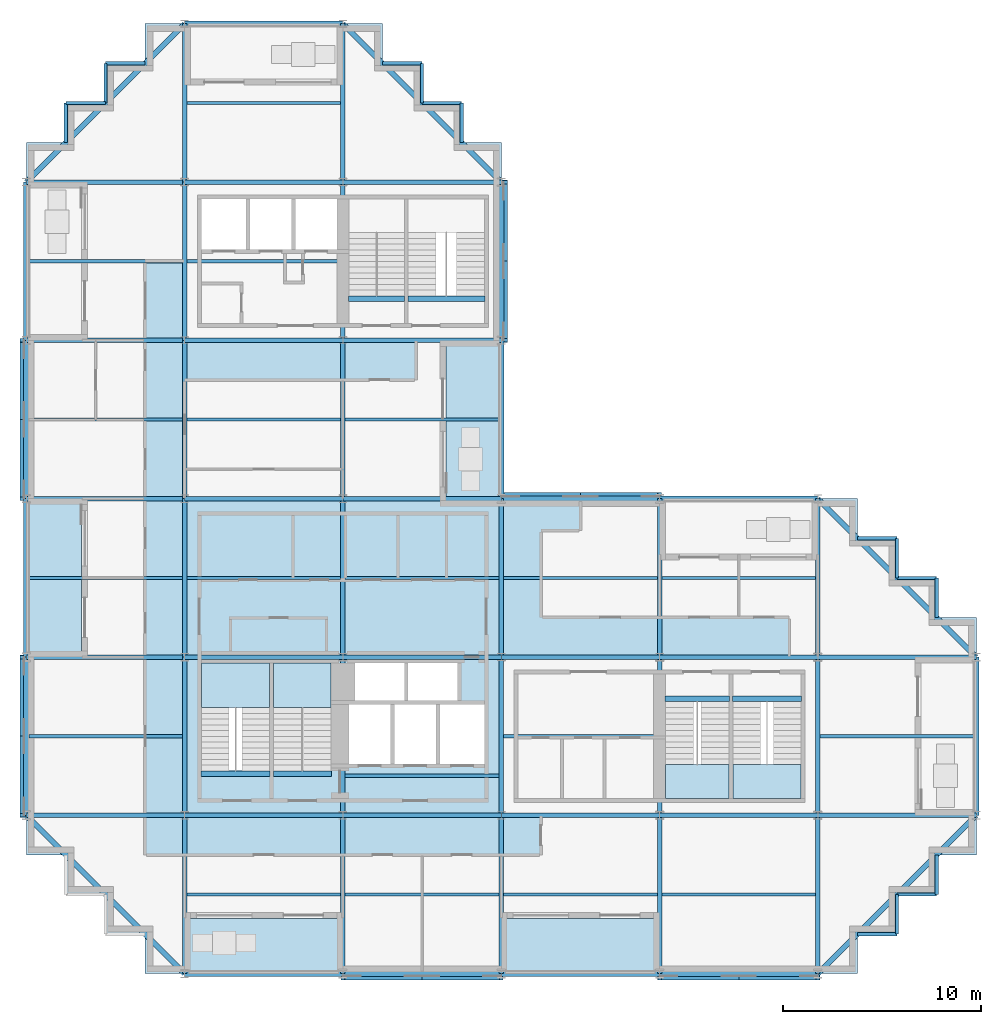
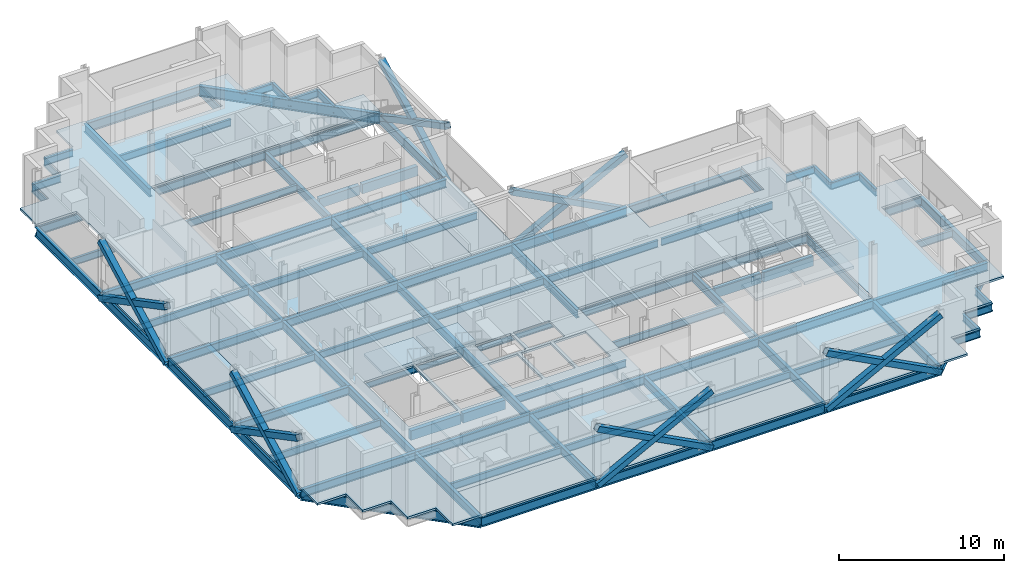
# One storey, part 3 of 12: 102 beams, 12 members, 10 slabs, 4 elements without a shape of their own.
"""IFC4 building model written with IfcOpenShell, lengths in metres."""

from ifc_helpers import new_model, si_unit, direction, frame, origin, origin_2d, place, context, subcontext, project, spatial, polyline, rectangle, hollow_rectangle, i_section, outline, extrude, material, layer, layer_set, material_profile, profile_set, type_object, element, aggregate, save


model = new_model("IFC4")

# Units and contexts
model_context = context("Model", 3, precision=1e-05, world=origin(), true_north=direction((0.0, 1.0)))
body_context = subcontext(model_context, "Body", "Model", "MODEL_VIEW")
ifc_project = project(units=[si_unit("LENGTHUNIT", "METRE"), si_unit("AREAUNIT", "SQUARE_METRE"), si_unit("VOLUMEUNIT", "CUBIC_METRE"), si_unit("PLANEANGLEUNIT", "RADIAN"), si_unit("MASSUNIT", "GRAM", prefix="KILO")], contexts=[model_context])

# Site, building, storey
site_placement = place(None, origin())
site = spatial("IfcSite", under=ifc_project, at=site_placement, CompositionType="ELEMENT")
building_placement = place(site_placement, origin())
building = spatial("IfcBuilding", under=site, at=building_placement, Name="Immortelle Media Tower", CompositionType="ELEMENT")
storey_placement = place(building_placement, frame((0.0, 0.0, 145.199951171875)))
storey = spatial("IfcBuildingStorey", under=building, at=storey_placement, Name="L29", CompositionType="ELEMENT", Elevation=145.199951171875)

# Members
ifc_material_1 = material(Name="Steel ASTM A500 Gr C", Category="steel")
ifc_material_profile_1 = material_profile(ifc_material_1, hollow_rectangle(XDim=0.406005859375, YDim=0.406005859375, WallThickness=0.011962890625, at=origin_2d()), Name="HSS16x16x1/2 brace")
ifc_profile_set_1 = profile_set([ifc_material_profile_1], Name="Steel ASTM A500 Gr C")
member_type = type_object("IfcMemberType", Name="HSS16x16x1/2 brace", PredefinedType="BRACE", material=ifc_profile_set_1)
for number, where, z_axis, x_axis, name in (
    (1, (16.0, -0.113037109375, -0.496337890625), (0.885400126936, 0.0, 0.464829662588), (0.0, 1.0, 0.0), "Brace A/3-4 A"),
    (2, (16.0, -0.113037109375, 3.70361328125), (0.885400126936, 0.0, -0.464829662588), (0.0, 1.0, 0.0), "Brace A/3-4 B"),
    (3, (32.0, -0.113037109375, -0.496337890625), (0.885400126936, 0.0, 0.464829662588), (0.0, 1.0, 0.0), "Brace A/5-6 A"),
    (4, (32.0, -0.113037109375, 3.70361328125), (0.885400126936, 0.0, -0.464829662588), (0.0, 1.0, 0.0), "Brace A/5-6 B"),
    (5, (32.0, 24.113037109375, -0.496337890625), (-0.885400126936, 0.0, 0.464829662588), (0.0, -1.0, 0.0), "Brace D/4-5 A"),
    (6, (32.0, 24.113037109375, 3.70361328125), (-0.885400126936, 0.0, -0.464829662588), (0.0, -1.0, 0.0), "Brace D/4-5 B"),
    (7, (24.113037109375, 32.0, -0.496337890625), (0.0, 0.885400126936, 0.464829662588), (-1.0, 0.0, 0.0), "Brace 4/E-F A"),
    (8, (24.113037109375, 32.0, 3.70361328125), (0.0, 0.885400126936, -0.464829662588), (-1.0, 0.0, 0.0), "Brace 4/E-F B"),
    (9, (-0.113037109375, 32.0, -0.496337890625), (0.0, -0.885400126936, 0.464829662588), (1.0, 0.0, 0.0), "Brace 1/D-E A"),
    (10, (-0.113037109375, 32.0, 3.70361328125), (0.0, -0.885400126936, -0.464829662588), (1.0, 0.0, 0.0), "Brace 1/D-E B"),
    (11, (-0.113037109375, 16.0, -0.496337890625), (0.0, -0.885400126936, 0.464829662588), (1.0, 0.0, 0.0), "Brace 1/B-C A"),
    (12, (-0.113037109375, 16.0, 3.70361328125), (0.0, -0.885400126936, -0.464829662588), (1.0, 0.0, 0.0), "Brace 1/B-C B"),
):
    element("IfcMember", number, at=place(storey_placement, frame(where, z_axis=z_axis, x_axis=x_axis)), inside=storey, type_object=member_type, Name=name, PredefinedType="BRACE", context=body_context, shape_type="SweptSolid", body=[
        extrude(hollow_rectangle(XDim=0.406005859375, YDim=0.406005859375, WallThickness=0.011962890625, at=origin_2d()), origin(), (0.0, 0.0, 1.0), 9.035400390625),
    ])

# Beams
ifc_material_2 = material(Name="Concrete C50/60", Category="concrete")
ifc_material_profile_2 = material_profile(ifc_material_2, rectangle(XDim=0.300048828125, YDim=0.699951171875, at=origin_2d()), Name="RC 300x700")
ifc_profile_set_2 = profile_set([ifc_material_profile_2], Name="Concrete C50/60")
beam_type_1 = type_object("IfcBeamType", Name="Stair trimmer beam 300 x 700", PredefinedType="BEAM", material=ifc_profile_set_2)
beam_1_placement = place(storey_placement, frame((8.830078125, 10.10498046875, -0.5), z_axis=(1.0, 0.0, 0.0), x_axis=(0.0, 1.0, 0.0)))
element("IfcBeam", 13, at=beam_1_placement, inside=storey, type_object=beam_type_1, Name="Stair trimmer beam SW1", PredefinedType="BEAM", context=body_context, shape_type="SweptSolid", body=[
    extrude(rectangle(XDim=0.300048828125, YDim=0.699951171875, at=origin_2d()), origin(), (0.0, 0.0, 1.0), 3.489990234375),
])
beam_2_placement = place(storey_placement, frame((12.47998046875, 10.10498046875, -0.5), z_axis=(1.0, 0.0, 0.0), x_axis=(0.0, 1.0, 0.0)))
element("IfcBeam", 14, at=beam_2_placement, inside=storey, type_object=beam_type_1, Name="Stair trimmer beam SW2", PredefinedType="BEAM", context=body_context, shape_type="SweptSolid", body=[
    extrude(rectangle(XDim=0.300048828125, YDim=0.699951171875, at=origin_2d()), origin(), (0.0, 0.0, 1.0), 2.93994140625),
])
beam_3_placement = place(storey_placement, frame((32.280029296875, 13.89501953125, -0.5), z_axis=(1.0, 0.0, 0.0), x_axis=(0.0, 1.0, 0.0)))
element("IfcBeam", 15, at=beam_3_placement, inside=storey, type_object=beam_type_1, Name="Stair trimmer beam SE1", PredefinedType="BEAM", context=body_context, shape_type="SweptSolid", body=[
    extrude(rectangle(XDim=0.300048828125, YDim=0.699951171875, at=origin_2d()), origin(), (0.0, 0.0, 1.0), 3.239990234375),
])
beam_4_placement = place(storey_placement, frame((35.679931640625, 13.89501953125, -0.5), z_axis=(1.0, 0.0, 0.0), x_axis=(0.0, 1.0, 0.0)))
element("IfcBeam", 16, at=beam_4_placement, inside=storey, type_object=beam_type_1, Name="Stair trimmer beam SE2", PredefinedType="BEAM", context=body_context, shape_type="SweptSolid", body=[
    extrude(rectangle(XDim=0.300048828125, YDim=0.699951171875, at=origin_2d()), origin(), (0.0, 0.0, 1.0), 3.489990234375),
])
beam_5_placement = place(storey_placement, frame((16.280029296875, 34.10498046875, -0.5), z_axis=(1.0, 0.0, 0.0), x_axis=(0.0, 1.0, 0.0)))
element("IfcBeam", 17, at=beam_5_placement, inside=storey, type_object=beam_type_1, Name="Stair trimmer beam NW1", PredefinedType="BEAM", context=body_context, shape_type="SweptSolid", body=[
    extrude(rectangle(XDim=0.300048828125, YDim=0.699951171875, at=origin_2d()), origin(), (0.0, 0.0, 1.0), 2.840087890625),
])
beam_6_placement = place(storey_placement, frame((19.280029296875, 34.10498046875, -0.5), z_axis=(1.0, 0.0, 0.0), x_axis=(0.0, 1.0, 0.0)))
element("IfcBeam", 18, at=beam_6_placement, inside=storey, type_object=beam_type_1, Name="Stair trimmer beam NW2", PredefinedType="BEAM", context=body_context, shape_type="SweptSolid", body=[
    extrude(rectangle(XDim=0.300048828125, YDim=0.699951171875, at=origin_2d()), origin(), (0.0, 0.0, 1.0), 3.889892578125),
])
ifc_material_3 = material(Name="Steel ASTM A992 Gr 50", Category="steel")
ifc_material_profile_3 = material_profile(ifc_material_3, i_section(OverallWidth=0.1650390625, OverallDepth=0.52587890625, WebThickness=0.009033203125, FlangeThickness=0.010986328125, at=origin_2d()), Name="W21x44")
ifc_profile_set_3 = profile_set([ifc_material_profile_3], Name="Steel ASTM A992 Gr 50")
beam_type_2 = type_object("IfcBeamType", Name="W21x44 secondary beam", PredefinedType="JOIST", material=ifc_profile_set_3)
for number, where, z_axis, x_axis, name in (
    (19, (8.114501953125, 4.0, -0.412841796875), (1.0, 0.0, 0.0), (0.0, 1.0, 0.0), "Beam A-B/2-3"),
    (20, (16.114501953125, 4.0, -0.412841796875), (1.0, 0.0, 0.0), (0.0, 1.0, 0.0), "Beam A-B/3-4"),
    (21, (24.114501953125, 4.0, -0.412841796875), (1.0, 0.0, 0.0), (0.0, 1.0, 0.0), "Beam A-B/4-5"),
    (22, (32.114501953125, 4.0, -0.412841796875), (1.0, 0.0, 0.0), (0.0, 1.0, 0.0), "Beam A-B/5-6"),
):
    element("IfcBeam", number, at=place(storey_placement, frame(where, z_axis=z_axis, x_axis=x_axis)), inside=storey, type_object=beam_type_2, Name=name, PredefinedType="JOIST", context=body_context, shape_type="SweptSolid", body=[
        extrude(i_section(OverallWidth=0.1650390625, OverallDepth=0.52587890625, WebThickness=0.009033203125, FlangeThickness=0.010986328125, at=origin_2d()), origin(), (0.0, 0.0, 1.0), 7.77099609375),
    ])
beam_7_placement = place(storey_placement, frame((0.12841796875, 12.0, -0.412841796875), z_axis=(1.0, 0.0, 0.0), x_axis=(0.0, 1.0, 0.0)))
element("IfcBeam", 23, at=beam_7_placement, inside=storey, type_object=beam_type_2, Name="Beam B-C/1-2", PredefinedType="JOIST", context=body_context, shape_type="SweptSolid", body=[
    extrude(i_section(OverallWidth=0.1650390625, OverallDepth=0.52587890625, WebThickness=0.009033203125, FlangeThickness=0.010986328125, at=origin_2d()), origin(), (0.0, 0.0, 1.0), 7.757080078125),
])
for number, where, z_axis, x_axis, name in (
    (24, (16.114501953125, 10.0, -0.412841796875), (1.0, 0.0, 0.0), (0.0, 1.0, 0.0), "Beam B-C/3-4"),
    (25, (24.114501953125, 12.0, -0.412841796875), (1.0, 0.0, 0.0), (0.0, 1.0, 0.0), "Beam B-C/4-5"),
):
    element("IfcBeam", number, at=place(storey_placement, frame(where, z_axis=z_axis, x_axis=x_axis)), inside=storey, type_object=beam_type_2, Name=name, PredefinedType="JOIST", context=body_context, shape_type="SweptSolid", body=[
        extrude(i_section(OverallWidth=0.1650390625, OverallDepth=0.52587890625, WebThickness=0.009033203125, FlangeThickness=0.010986328125, at=origin_2d()), origin(), (0.0, 0.0, 1.0), 7.77099609375),
    ])
for number, where, z_axis, x_axis, name in (
    (26, (40.114501953125, 12.0, -0.412841796875), (1.0, 0.0, 0.0), (0.0, 1.0, 0.0), "Beam B-C/6-7"),
    (27, (0.12841796875, 20.0, -0.412841796875), (1.0, 0.0, 0.0), (0.0, 1.0, 0.0), "Beam C-D/1-2"),
):
    element("IfcBeam", number, at=place(storey_placement, frame(where, z_axis=z_axis, x_axis=x_axis)), inside=storey, type_object=beam_type_2, Name=name, PredefinedType="JOIST", context=body_context, shape_type="SweptSolid", body=[
        extrude(i_section(OverallWidth=0.1650390625, OverallDepth=0.52587890625, WebThickness=0.009033203125, FlangeThickness=0.010986328125, at=origin_2d()), origin(), (0.0, 0.0, 1.0), 7.757080078125),
    ])
for number, where, z_axis, x_axis, name in (
    (28, (8.114501953125, 20.0, -0.412841796875), (1.0, 0.0, 0.0), (0.0, 1.0, 0.0), "Beam C-D/2-3"),
    (29, (16.114501953125, 20.0, -0.412841796875), (1.0, 0.0, 0.0), (0.0, 1.0, 0.0), "Beam C-D/3-4"),
    (30, (24.114501953125, 20.0, -0.412841796875), (1.0, 0.0, 0.0), (0.0, 1.0, 0.0), "Beam C-D/4-5"),
    (31, (32.114501953125, 20.0, -0.412841796875), (1.0, 0.0, 0.0), (0.0, 1.0, 0.0), "Beam C-D/5-6"),
):
    element("IfcBeam", number, at=place(storey_placement, frame(where, z_axis=z_axis, x_axis=x_axis)), inside=storey, type_object=beam_type_2, Name=name, PredefinedType="JOIST", context=body_context, shape_type="SweptSolid", body=[
        extrude(i_section(OverallWidth=0.1650390625, OverallDepth=0.52587890625, WebThickness=0.009033203125, FlangeThickness=0.010986328125, at=origin_2d()), origin(), (0.0, 0.0, 1.0), 7.77099609375),
    ])
beam_8_placement = place(storey_placement, frame((0.12841796875, 28.0, -0.412841796875), z_axis=(1.0, 0.0, 0.0), x_axis=(0.0, 1.0, 0.0)))
element("IfcBeam", 32, at=beam_8_placement, inside=storey, type_object=beam_type_2, Name="Beam D-E/1-2", PredefinedType="JOIST", context=body_context, shape_type="SweptSolid", body=[
    extrude(i_section(OverallWidth=0.1650390625, OverallDepth=0.52587890625, WebThickness=0.009033203125, FlangeThickness=0.010986328125, at=origin_2d()), origin(), (0.0, 0.0, 1.0), 7.757080078125),
])
beam_9_placement = place(storey_placement, frame((8.114501953125, 28.0, -0.412841796875), z_axis=(1.0, 0.0, 0.0), x_axis=(0.0, 1.0, 0.0)))
element("IfcBeam", 33, at=beam_9_placement, inside=storey, type_object=beam_type_2, Name="Beam D-E/2-3", PredefinedType="JOIST", context=body_context, shape_type="SweptSolid", body=[
    extrude(i_section(OverallWidth=0.1650390625, OverallDepth=0.52587890625, WebThickness=0.009033203125, FlangeThickness=0.010986328125, at=origin_2d()), origin(), (0.0, 0.0, 1.0), 7.77099609375),
])
for number, where, z_axis, x_axis, name in (
    (34, (16.114501953125, 28.0, -0.412841796875), (1.0, 0.0, 0.0), (0.0, 1.0, 0.0), "Beam D-E/3-4"),
    (35, (0.12841796875, 36.0, -0.412841796875), (1.0, 0.0, 0.0), (0.0, 1.0, 0.0), "Beam E-F/1-2"),
):
    element("IfcBeam", number, at=place(storey_placement, frame(where, z_axis=z_axis, x_axis=x_axis)), inside=storey, type_object=beam_type_2, Name=name, PredefinedType="JOIST", context=body_context, shape_type="SweptSolid", body=[
        extrude(i_section(OverallWidth=0.1650390625, OverallDepth=0.52587890625, WebThickness=0.009033203125, FlangeThickness=0.010986328125, at=origin_2d()), origin(), (0.0, 0.0, 1.0), 7.757080078125),
    ])
for number, where, z_axis, x_axis, name in (
    (36, (8.114501953125, 36.0, -0.412841796875), (1.0, 0.0, 0.0), (0.0, 1.0, 0.0), "Beam E-F/2-3"),
    (37, (8.114501953125, 44.0, -0.412841796875), (1.0, 0.0, 0.0), (0.0, 1.0, 0.0), "Beam F-G/2-3"),
):
    element("IfcBeam", number, at=place(storey_placement, frame(where, z_axis=z_axis, x_axis=x_axis)), inside=storey, type_object=beam_type_2, Name=name, PredefinedType="JOIST", context=body_context, shape_type="SweptSolid", body=[
        extrude(i_section(OverallWidth=0.1650390625, OverallDepth=0.52587890625, WebThickness=0.009033203125, FlangeThickness=0.010986328125, at=origin_2d()), origin(), (0.0, 0.0, 1.0), 7.77099609375),
    ])
ifc_material_profile_4 = material_profile(ifc_material_3, i_section(OverallWidth=0.1650390625, OverallDepth=0.52587890625, WebThickness=0.009033203125, FlangeThickness=0.010986328125, at=origin_2d()), Name="W21x44")
ifc_profile_set_4 = profile_set([ifc_material_profile_4], Name="Steel ASTM A992 Gr 50")
beam_type_3 = type_object("IfcBeamType", Name="W21x44 serration edge beam", PredefinedType="SPANDREL", material=ifc_profile_set_4)
for number, where, z_axis, x_axis, name in (
    (38, (2.0, 42.0, -0.412841796875), (0.0, 1.0, 0.0), (-1.0, 0.0, 0.0), "Corner edge beam 1 at 1/G"),
    (39, (2.0, 44.0, -0.412841796875), (1.0, 0.0, 0.0), (0.0, 1.0, 0.0), "Corner edge beam 2 at 1/G"),
    (40, (4.0, 44.0, -0.412841796875), (0.0, 1.0, 0.0), (-1.0, 0.0, 0.0), "Corner edge beam 3 at 1/G"),
    (41, (4.0, 46.0, -0.412841796875), (1.0, 0.0, 0.0), (0.0, 1.0, 0.0), "Corner edge beam 4 at 1/G"),
    (42, (18.0, 46.0, -0.412841796875), (1.0, 0.0, 0.0), (0.0, 1.0, 0.0), "Corner edge beam 1 at 4/G"),
    (43, (20.0, 46.0, -0.412841796875), (0.0, -1.0, 0.0), (1.0, 0.0, 0.0), "Corner edge beam 2 at 4/G"),
    (44, (20.0, 44.0, -0.412841796875), (1.0, 0.0, 0.0), (0.0, 1.0, 0.0), "Corner edge beam 3 at 4/G"),
    (45, (22.0, 44.0, -0.412841796875), (0.0, -1.0, 0.0), (1.0, 0.0, 0.0), "Corner edge beam 4 at 4/G"),
    (46, (46.0, 6.0, -0.412841796875), (0.0, -1.0, 0.0), (1.0, 0.0, 0.0), "Corner edge beam 1 at 7/A"),
    (47, (46.0, 4.0, -0.412841796875), (-1.0, 0.0, 0.0), (0.0, -1.0, 0.0), "Corner edge beam 2 at 7/A"),
    (48, (44.0, 4.0, -0.412841796875), (0.0, -1.0, 0.0), (1.0, 0.0, 0.0), "Corner edge beam 3 at 7/A"),
    (49, (44.0, 2.0, -0.412841796875), (-1.0, 0.0, 0.0), (0.0, -1.0, 0.0), "Corner edge beam 4 at 7/A"),
    (50, (42.0, 22.0, -0.412841796875), (1.0, 0.0, 0.0), (0.0, 1.0, 0.0), "Corner edge beam 1 at 7/D"),
    (51, (44.0, 22.0, -0.412841796875), (0.0, -1.0, 0.0), (1.0, 0.0, 0.0), "Corner edge beam 2 at 7/D"),
    (52, (44.0, 20.0, -0.412841796875), (1.0, 0.0, 0.0), (0.0, 1.0, 0.0), "Corner edge beam 3 at 7/D"),
    (53, (46.0, 20.0, -0.412841796875), (0.0, -1.0, 0.0), (1.0, 0.0, 0.0), "Corner edge beam 4 at 7/D"),
):
    element("IfcBeam", number, at=place(storey_placement, frame(where, z_axis=z_axis, x_axis=x_axis)), inside=storey, type_object=beam_type_3, Name=name, PredefinedType="SPANDREL", context=body_context, shape_type="SweptSolid", body=[
        extrude(i_section(OverallWidth=0.1650390625, OverallDepth=0.52587890625, WebThickness=0.009033203125, FlangeThickness=0.010986328125, at=origin_2d()), origin(), (0.0, 0.0, 1.0), 2.0),
    ])
ifc_material_profile_5 = material_profile(ifc_material_3, i_section(OverallWidth=0.22900390625, OverallDepth=0.612060546875, WebThickness=0.011962890625, FlangeThickness=0.02001953125, at=origin_2d()), Name="W24x84")
ifc_profile_set_5 = profile_set([ifc_material_profile_5], Name="Steel ASTM A992 Gr 50")
beam_type_4 = type_object("IfcBeamType", Name="W24x84 girder", PredefinedType="BEAM", material=ifc_profile_set_5)
for number, where, z_axis, x_axis, name in (
    (54, (0.0, 8.0, -0.4560546875), (1.0, 0.0, 0.0), (0.0, 1.0, 0.0), "Girder B/1-2"),
    (55, (0.0, 16.0, -0.4560546875), (1.0, 0.0, 0.0), (0.0, 1.0, 0.0), "Girder C/1-2"),
    (56, (0.0, 24.0, -0.4560546875), (1.0, 0.0, 0.0), (0.0, 1.0, 0.0), "Girder D/1-2"),
    (57, (0.0, 32.0, -0.4560546875), (1.0, 0.0, 0.0), (0.0, 1.0, 0.0), "Girder E/1-2"),
    (58, (0.0, 40.0, -0.4560546875), (1.0, 0.0, 0.0), (0.0, 1.0, 0.0), "Girder F/1-2"),
    (59, (8.0, 0.0, -0.4560546875), (0.0, 1.0, 0.0), (-1.0, 0.0, 0.0), "Girder 2/A-B"),
    (60, (8.0, 8.0, -0.4560546875), (1.0, 0.0, 0.0), (0.0, 1.0, 0.0), "Girder B/2-3"),
    (61, (8.0, 8.0, -0.4560546875), (0.0, 1.0, 0.0), (-1.0, 0.0, 0.0), "Girder 2/B-C"),
    (62, (8.0, 16.0, -0.4560546875), (1.0, 0.0, 0.0), (0.0, 1.0, 0.0), "Girder C/2-3"),
    (63, (8.0, 16.0, -0.4560546875), (0.0, 1.0, 0.0), (-1.0, 0.0, 0.0), "Girder 2/C-D"),
    (64, (8.0, 24.0, -0.4560546875), (1.0, 0.0, 0.0), (0.0, 1.0, 0.0), "Girder D/2-3"),
    (65, (8.0, 24.0, -0.4560546875), (0.0, 1.0, 0.0), (-1.0, 0.0, 0.0), "Girder 2/D-E"),
    (66, (8.0, 32.0, -0.4560546875), (1.0, 0.0, 0.0), (0.0, 1.0, 0.0), "Girder E/2-3"),
    (67, (8.0, 32.0, -0.4560546875), (0.0, 1.0, 0.0), (-1.0, 0.0, 0.0), "Girder 2/E-F"),
    (68, (8.0, 40.0, -0.4560546875), (1.0, 0.0, 0.0), (0.0, 1.0, 0.0), "Girder F/2-3"),
    (69, (8.0, 40.0, -0.4560546875), (0.0, 1.0, 0.0), (-1.0, 0.0, 0.0), "Girder 2/F-G"),
    (70, (16.0, 0.0, -0.4560546875), (0.0, 1.0, 0.0), (-1.0, 0.0, 0.0), "Girder 3/A-B"),
    (71, (16.0, 8.0, -0.4560546875), (1.0, 0.0, 0.0), (0.0, 1.0, 0.0), "Girder B/3-4"),
    (72, (16.0, 8.0, -0.4560546875), (0.0, 1.0, 0.0), (-1.0, 0.0, 0.0), "Girder 3/B-C"),
    (73, (16.0, 16.0, -0.4560546875), (1.0, 0.0, 0.0), (0.0, 1.0, 0.0), "Girder C/3-4"),
    (74, (16.0, 16.0, -0.4560546875), (0.0, 1.0, 0.0), (-1.0, 0.0, 0.0), "Girder 3/C-D"),
    (75, (16.0, 24.0, -0.4560546875), (1.0, 0.0, 0.0), (0.0, 1.0, 0.0), "Girder D/3-4"),
    (76, (16.0, 24.0, -0.4560546875), (0.0, 1.0, 0.0), (-1.0, 0.0, 0.0), "Girder 3/D-E"),
    (77, (16.0, 32.0, -0.4560546875), (1.0, 0.0, 0.0), (0.0, 1.0, 0.0), "Girder E/3-4"),
    (78, (16.0, 32.0, -0.4560546875), (0.0, 1.0, 0.0), (-1.0, 0.0, 0.0), "Girder 3/E-F"),
    (79, (16.0, 40.0, -0.4560546875), (1.0, 0.0, 0.0), (0.0, 1.0, 0.0), "Girder F/3-4"),
    (80, (16.0, 40.0, -0.4560546875), (0.0, 1.0, 0.0), (-1.0, 0.0, 0.0), "Girder 3/F-G"),
    (81, (24.0, 0.0, -0.4560546875), (0.0, 1.0, 0.0), (-1.0, 0.0, 0.0), "Girder 4/A-B"),
    (82, (24.0, 8.0, -0.4560546875), (1.0, 0.0, 0.0), (0.0, 1.0, 0.0), "Girder B/4-5"),
    (83, (24.0, 8.0, -0.4560546875), (0.0, 1.0, 0.0), (-1.0, 0.0, 0.0), "Girder 4/B-C"),
    (84, (24.0, 16.0, -0.4560546875), (1.0, 0.0, 0.0), (0.0, 1.0, 0.0), "Girder C/4-5"),
    (85, (24.0, 16.0, -0.4560546875), (0.0, 1.0, 0.0), (-1.0, 0.0, 0.0), "Girder 4/C-D"),
    (86, (32.0, 0.0, -0.4560546875), (0.0, 1.0, 0.0), (-1.0, 0.0, 0.0), "Girder 5/A-B"),
    (87, (32.0, 8.0, -0.4560546875), (1.0, 0.0, 0.0), (0.0, 1.0, 0.0), "Girder B/5-6"),
    (88, (32.0, 8.0, -0.4560546875), (0.0, 1.0, 0.0), (-1.0, 0.0, 0.0), "Girder 5/B-C"),
    (89, (32.0, 16.0, -0.4560546875), (1.0, 0.0, 0.0), (0.0, 1.0, 0.0), "Girder C/5-6"),
    (90, (32.0, 16.0, -0.4560546875), (0.0, 1.0, 0.0), (-1.0, 0.0, 0.0), "Girder 5/C-D"),
    (91, (40.0, 0.0, -0.4560546875), (0.0, 1.0, 0.0), (-1.0, 0.0, 0.0), "Girder 6/A-B"),
    (92, (40.0, 8.0, -0.4560546875), (1.0, 0.0, 0.0), (0.0, 1.0, 0.0), "Girder B/6-7"),
    (93, (40.0, 8.0, -0.4560546875), (0.0, 1.0, 0.0), (-1.0, 0.0, 0.0), "Girder 6/B-C"),
    (94, (40.0, 16.0, -0.4560546875), (1.0, 0.0, 0.0), (0.0, 1.0, 0.0), "Girder C/6-7"),
    (95, (40.0, 16.0, -0.4560546875), (0.0, 1.0, 0.0), (-1.0, 0.0, 0.0), "Girder 6/C-D"),
):
    element("IfcBeam", number, at=place(storey_placement, frame(where, z_axis=z_axis, x_axis=x_axis)), inside=storey, type_object=beam_type_4, Name=name, PredefinedType="BEAM", context=body_context, shape_type="SweptSolid", body=[
        extrude(i_section(OverallWidth=0.22900390625, OverallDepth=0.612060546875, WebThickness=0.011962890625, FlangeThickness=0.02001953125, at=origin_2d()), origin(), (0.0, 0.0, 1.0), 8.0),
    ])
ifc_material_profile_6 = material_profile(ifc_material_3, i_section(OverallWidth=0.257080078125, OverallDepth=0.693115234375, WebThickness=0.013916015625, FlangeThickness=0.02392578125, at=origin_2d()), Name="W27x114")
ifc_profile_set_6 = profile_set([ifc_material_profile_6], Name="Steel ASTM A992 Gr 50")
beam_type_5 = type_object("IfcBeamType", Name="W27x114 perimeter girder", PredefinedType="SPANDREL", material=ifc_profile_set_6)
for number, where, z_axis, x_axis, name in (
    (96, (0.0, 8.0, -0.496337890625), (0.0, 1.0, 0.0), (-1.0, 0.0, 0.0), "Girder 1/B-C"),
    (97, (0.0, 16.0, -0.496337890625), (0.0, 1.0, 0.0), (-1.0, 0.0, 0.0), "Girder 1/C-D"),
    (98, (0.0, 24.0, -0.496337890625), (0.0, 1.0, 0.0), (-1.0, 0.0, 0.0), "Girder 1/D-E"),
    (99, (0.0, 32.0, -0.496337890625), (0.0, 1.0, 0.0), (-1.0, 0.0, 0.0), "Girder 1/E-F"),
    (100, (8.0, 0.0, -0.496337890625), (1.0, 0.0, 0.0), (0.0, 1.0, 0.0), "Girder A/2-3"),
    (101, (8.0, 48.0, -0.496337890625), (1.0, 0.0, 0.0), (0.0, 1.0, 0.0), "Girder G/2-3"),
    (102, (16.0, 0.0, -0.496337890625), (1.0, 0.0, 0.0), (0.0, 1.0, 0.0), "Girder A/3-4"),
    (103, (24.0, 0.0, -0.496337890625), (1.0, 0.0, 0.0), (0.0, 1.0, 0.0), "Girder A/4-5"),
    (104, (24.0, 24.0, -0.496337890625), (1.0, 0.0, 0.0), (0.0, 1.0, 0.0), "Girder D/4-5"),
    (105, (24.0, 24.0, -0.496337890625), (0.0, 1.0, 0.0), (-1.0, 0.0, 0.0), "Girder 4/D-E"),
    (106, (24.0, 32.0, -0.496337890625), (0.0, 1.0, 0.0), (-1.0, 0.0, 0.0), "Girder 4/E-F"),
    (107, (32.0, 0.0, -0.496337890625), (1.0, 0.0, 0.0), (0.0, 1.0, 0.0), "Girder A/5-6"),
    (108, (32.0, 24.0, -0.496337890625), (1.0, 0.0, 0.0), (0.0, 1.0, 0.0), "Girder D/5-6"),
    (109, (48.0, 8.0, -0.496337890625), (0.0, 1.0, 0.0), (-1.0, 0.0, 0.0), "Girder 7/B-C"),
):
    element("IfcBeam", number, at=place(storey_placement, frame(where, z_axis=z_axis, x_axis=x_axis)), inside=storey, type_object=beam_type_5, Name=name, PredefinedType="SPANDREL", context=body_context, shape_type="SweptSolid", body=[
        extrude(i_section(OverallWidth=0.257080078125, OverallDepth=0.693115234375, WebThickness=0.013916015625, FlangeThickness=0.02392578125, at=origin_2d()), origin(), (0.0, 0.0, 1.0), 8.0),
    ])
ifc_material_profile_7 = material_profile(ifc_material_3, i_section(OverallWidth=0.26708984375, OverallDepth=0.761962890625, WebThickness=0.013916015625, FlangeThickness=0.02197265625, at=origin_2d()), Name="W30x116")
ifc_profile_set_7 = profile_set([ifc_material_profile_7], Name="Steel ASTM A992 Gr 50")
beam_type_6 = type_object("IfcBeamType", Name="W30x116 corner girder", PredefinedType="SPANDREL", material=ifc_profile_set_7)
for number, where, z_axis, x_axis, name in (
    (110, (8.0, 0.0, -0.531005859375), (-0.707106781187, 0.707106781187, 0.0), (-0.707106781187, -0.707106781187, 0.0), "Corner girder at 1/A"),
    (111, (0.0, 40.0, -0.531005859375), (0.707106781187, 0.707106781187, 0.0), (-0.707106781187, 0.707106781187, 0.0), "Corner girder at 1/G"),
    (112, (16.0, 48.0, -0.531005859375), (0.707106781187, -0.707106781187, 0.0), (0.707106781187, 0.707106781187, 0.0), "Corner girder at 4/G"),
    (113, (48.0, 8.0, -0.531005859375), (-0.707106781187, -0.707106781187, 0.0), (0.707106781187, -0.707106781187, 0.0), "Corner girder at 7/A"),
    (114, (40.0, 24.0, -0.531005859375), (0.707106781187, -0.707106781187, 0.0), (0.707106781187, 0.707106781187, 0.0), "Corner girder at 7/D"),
):
    element("IfcBeam", number, at=place(storey_placement, frame(where, z_axis=z_axis, x_axis=x_axis)), inside=storey, type_object=beam_type_6, Name=name, PredefinedType="SPANDREL", context=body_context, shape_type="SweptSolid", body=[
        extrude(i_section(OverallWidth=0.26708984375, OverallDepth=0.761962890625, WebThickness=0.013916015625, FlangeThickness=0.02197265625, at=origin_2d()), origin(), (0.0, 0.0, 1.0), 11.313720703125),
    ])

# Slabs
ifc_material_4 = material(Name="Concrete C50/60 composite deck", Category="concrete")
ifc_layer_1 = layer(ifc_material_4, 0.14990234375)
ifc_layer_set_1 = layer_set([ifc_layer_1], Name="Concrete C50/60 composite deck")
slab_type_1 = type_object("IfcSlabType", Name="Balcony slab 150", PredefinedType="FLOOR", material=ifc_layer_set_1)
slab_1_placement = place(storey_placement, frame((0.0, 0.0, -0.14990234375)))
element("IfcSlab", 115, at=slab_1_placement, inside=storey, type_object=slab_type_1, Name="Balcony slab L29 S0", PredefinedType="FLOOR", context=body_context, shape_type="SweptSolid", body=[
    extrude(outline(polyline([(16.0, 0.0), (16.0, 2.800048828125), (8.0, 2.800048828125), (8.0, 0.0), (16.0, 0.0)])), origin(), (0.0, 0.0, 1.0), 0.14990234375),
])
slab_2_placement = place(storey_placement, frame((0.0, 0.0, -0.14990234375)))
element("IfcSlab", 116, at=slab_2_placement, inside=storey, type_object=slab_type_1, Name="Balcony slab L29 S2", PredefinedType="FLOOR", context=body_context, shape_type="SweptSolid", body=[
    extrude(outline(polyline([(32.0, 0.0), (32.0, 2.800048828125), (24.0, 2.800048828125), (24.0, 0.0), (32.0, 0.0)])), origin(), (0.0, 0.0, 1.0), 0.14990234375),
])
slab_3_placement = place(storey_placement, frame((0.0, 0.0, -0.14990234375)))
element("IfcSlab", 117, at=slab_3_placement, inside=storey, type_object=slab_type_1, Name="Balcony slab L29 E0", PredefinedType="FLOOR", context=body_context, shape_type="SweptSolid", body=[
    extrude(outline(polyline([(24.0, 24.0), (24.0, 32.0), (21.199951171875, 32.0), (21.199951171875, 24.0), (24.0, 24.0)])), origin(), (0.0, 0.0, 1.0), 0.14990234375),
])
slab_4_placement = place(storey_placement, frame((0.0, 0.0, -0.14990234375)))
element("IfcSlab", 118, at=slab_4_placement, inside=storey, type_object=slab_type_1, Name="Balcony slab L29 W2", PredefinedType="FLOOR", context=body_context, shape_type="SweptSolid", body=[
    extrude(outline(polyline([(2.800048828125, 16.0), (2.800048828125, 24.0), (0.0, 24.0), (0.0, 16.0), (2.800048828125, 16.0)])), origin(), (0.0, 0.0, 1.0), 0.14990234375),
])
ifc_layer_2 = layer(ifc_material_2, 0.14990234375)
ifc_layer_set_2 = layer_set([ifc_layer_2], Name="Concrete C50/60")
slab_type_2 = type_object("IfcSlabType", Name="Composite floor slab 150", PredefinedType="FLOOR", material=ifc_layer_set_2)
slab_5_placement = place(storey_placement, frame((0.0, 0.0, -0.14990234375)))
element("IfcSlab", 119, at=slab_5_placement, inside=storey, type_object=slab_type_2, Name="Floor slab L29", PredefinedType="FLOOR", context=body_context, shape_type="SweptSolid", body=[
    extrude(outline(polyline([(6.0, 0.0), (6.0, 2.0), (4.0, 2.0), (4.0, 4.0), (2.0, 4.0), (2.0, 6.0), (0.0, 6.0), (0.0, 16.0), (2.800048828125, 16.0), (2.800048828125, 24.0), (0.0, 24.0), (0.0, 32.0), (2.800048828125, 32.0), (2.800048828125, 40.0), (0.0, 40.0), (0.0, 42.0), (2.0, 42.0), (2.0, 44.0), (4.0, 44.0), (4.0, 46.0), (6.0, 46.0), (6.0, 48.0), (8.0, 48.0), (8.0, 45.199951171875), (16.0, 45.199951171875), (16.0, 48.0), (18.0, 48.0), (18.0, 46.0), (20.0, 46.0), (20.0, 44.0), (22.0, 44.0), (22.0, 42.0), (24.0, 42.0), (24.0, 40.0), (8.0, 40.0), (8.0, 32.0), (21.199951171875, 32.0), (21.199951171875, 24.0), (8.0, 24.0), (8.0, 8.0), (24.0, 8.0), (40.0, 8.0), (40.0, 16.0), (24.0, 16.0), (24.0, 24.0), (32.0, 24.0), (32.0, 21.199951171875), (40.0, 21.199951171875), (40.0, 24.0), (42.0, 24.0), (42.0, 22.0), (44.0, 22.0), (44.0, 20.0), (46.0, 20.0), (46.0, 18.0), (48.0, 18.0), (48.0, 16.0), (45.199951171875, 16.0), (45.199951171875, 8.0), (48.0, 8.0), (48.0, 6.0), (46.0, 6.0), (46.0, 4.0), (44.0, 4.0), (44.0, 2.0), (42.0, 2.0), (42.0, 0.0), (32.0, 0.0), (32.0, 2.800048828125), (24.0, 2.800048828125), (24.0, 0.0), (16.0, 0.0), (16.0, 2.800048828125), (8.0, 2.800048828125), (8.0, 0.0), (6.0, 0.0)])), origin(), (0.0, 0.0, 1.0), 0.14990234375),
])
ifc_layer_3 = layer(ifc_material_2, 0.14990234375)
ifc_layer_set_3 = layer_set([ifc_layer_3], Name="Concrete C50/60")
slab_type_3 = type_object("IfcSlabType", Name="Core floor slab 150", PredefinedType="FLOOR", material=ifc_layer_set_3)
slab_6_placement = place(storey_placement, frame((0.0, 0.0, -0.14990234375)))
element("IfcSlab", 120, at=slab_6_placement, inside=storey, type_object=slab_type_3, Name="Core floor SW", PredefinedType="FLOOR", context=body_context, shape_type="SweptSolid", body=[
    extrude(outline(polyline([(8.0, 8.0), (24.0, 8.0), (24.0, 24.0), (8.0, 24.0), (8.0, 8.0)]), holes=[polyline([(16.60009765625, 13.800048828125), (19.10009765625, 13.800048828125), (19.10009765625, 15.699951171875), (16.60009765625, 15.699951171875), (16.60009765625, 13.800048828125)]), polyline([(19.300048828125, 13.800048828125), (21.800048828125, 13.800048828125), (21.800048828125, 15.699951171875), (19.300048828125, 15.699951171875), (19.300048828125, 13.800048828125)]), polyline([(16.300048828125, 10.60009765625), (18.39990234375, 10.60009765625), (18.39990234375, 13.60009765625), (16.300048828125, 13.60009765625), (16.300048828125, 10.60009765625)]), polyline([(18.60009765625, 10.60009765625), (20.699951171875, 10.60009765625), (20.699951171875, 13.60009765625), (18.60009765625, 13.60009765625), (18.60009765625, 10.60009765625)]), polyline([(20.89990234375, 10.60009765625), (23.14990234375, 10.60009765625), (23.14990234375, 13.60009765625), (20.89990234375, 13.60009765625), (20.89990234375, 10.60009765625)]), polyline([(8.85009765625, 10.27001953125), (12.300048828125, 10.27001953125), (12.300048828125, 15.699951171875), (8.85009765625, 15.699951171875), (8.85009765625, 10.27001953125)]), polyline([(12.5, 10.27001953125), (15.39990234375, 10.27001953125), (15.39990234375, 15.699951171875), (12.5, 15.699951171875), (12.5, 10.27001953125)])]), origin(), (0.0, 0.0, 1.0), 0.14990234375),
])

# Stair, slab
stair_type = type_object("IfcStairType", Name="Stair with flights", PredefinedType="DOUBLE_RETURN_STAIR", material=ifc_material_3)
stair_1_placement = place(storey_placement, origin())
stair_1 = element("IfcStair", 121, at=stair_1_placement, inside=storey, type_object=stair_type, Name="Exit stair SW1", PredefinedType="DOUBLE_RETURN_STAIR")
ifc_material_5 = material(Name="Steel ASTM A572 Gr 50", Category="steel")
ifc_layer_4 = layer(ifc_material_5, 0.199951171875)
ifc_layer_set_4 = layer_set([ifc_layer_4], Name="Steel ASTM A572 Gr 50")
slab_type_4 = type_object("IfcSlabType", Name="Stair landing 200", PredefinedType="LANDING", material=ifc_layer_set_4)
slab_7_placement = place(storey_placement, frame((0.0, 0.0, 1.900146484375)))
slab_7 = element("IfcSlab", 122, at=slab_7_placement, type_object=slab_type_4, Name="ST SW1 landing 1", PredefinedType="LANDING", context=body_context, shape_type="SweptSolid", body=[
    extrude(outline(polyline([(8.85009765625, 13.43994140625), (12.300048828125, 13.43994140625), (12.300048828125, 15.699951171875), (8.85009765625, 15.699951171875), (8.85009765625, 13.43994140625)])), origin(), (0.0, 0.0, 1.0), 0.199951171875),
])
aggregate(stair_1, [slab_7])

stair_2_placement = place(storey_placement, origin())
stair_2 = element("IfcStair", 123, at=stair_2_placement, inside=storey, type_object=stair_type, Name="Exit stair SW2", PredefinedType="DOUBLE_RETURN_STAIR")
slab_8_placement = place(storey_placement, frame((0.0, 0.0, 1.900146484375)))
slab_8 = element("IfcSlab", 124, at=slab_8_placement, type_object=slab_type_4, Name="ST SW2 landing 1", PredefinedType="LANDING", context=body_context, shape_type="SweptSolid", body=[
    extrude(outline(polyline([(12.5, 13.43994140625), (15.39990234375, 13.43994140625), (15.39990234375, 15.699951171875), (12.5, 15.699951171875), (12.5, 13.43994140625)])), origin(), (0.0, 0.0, 1.0), 0.199951171875),
])
aggregate(stair_2, [slab_8])

stair_3_placement = place(storey_placement, origin())
stair_3 = element("IfcStair", 125, at=stair_3_placement, inside=storey, type_object=stair_type, Name="Exit stair SE1", PredefinedType="DOUBLE_RETURN_STAIR")
slab_9_placement = place(storey_placement, frame((0.0, 0.0, 1.900146484375)))
slab_9 = element("IfcSlab", 126, at=slab_9_placement, type_object=slab_type_4, Name="ST SE1 landing 1", PredefinedType="LANDING", context=body_context, shape_type="SweptSolid", body=[
    extrude(outline(polyline([(32.300048828125, 8.85009765625), (35.5, 8.85009765625), (35.5, 10.56005859375), (32.300048828125, 10.56005859375), (32.300048828125, 8.85009765625)])), origin(), (0.0, 0.0, 1.0), 0.199951171875),
])
aggregate(stair_3, [slab_9])

stair_4_placement = place(storey_placement, origin())
stair_4 = element("IfcStair", 127, at=stair_4_placement, inside=storey, type_object=stair_type, Name="Exit stair SE2", PredefinedType="DOUBLE_RETURN_STAIR")
slab_10_placement = place(storey_placement, frame((0.0, 0.0, 1.900146484375)))
slab_10 = element("IfcSlab", 128, at=slab_10_placement, type_object=slab_type_4, Name="ST SE2 landing 1", PredefinedType="LANDING", context=body_context, shape_type="SweptSolid", body=[
    extrude(outline(polyline([(35.699951171875, 8.85009765625), (39.14990234375, 8.85009765625), (39.14990234375, 10.56005859375), (35.699951171875, 10.56005859375), (35.699951171875, 8.85009765625)])), origin(), (0.0, 0.0, 1.0), 0.199951171875),
])
aggregate(stair_4, [slab_10])

save(model, "model.ifc")
